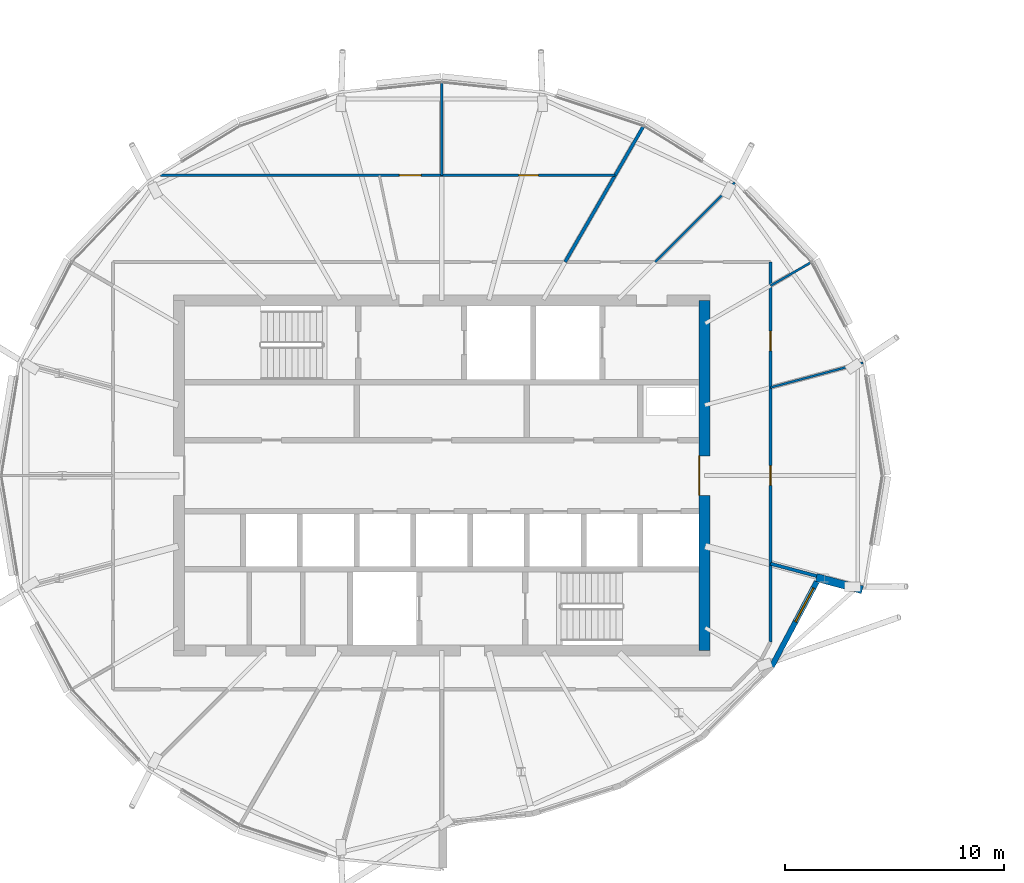
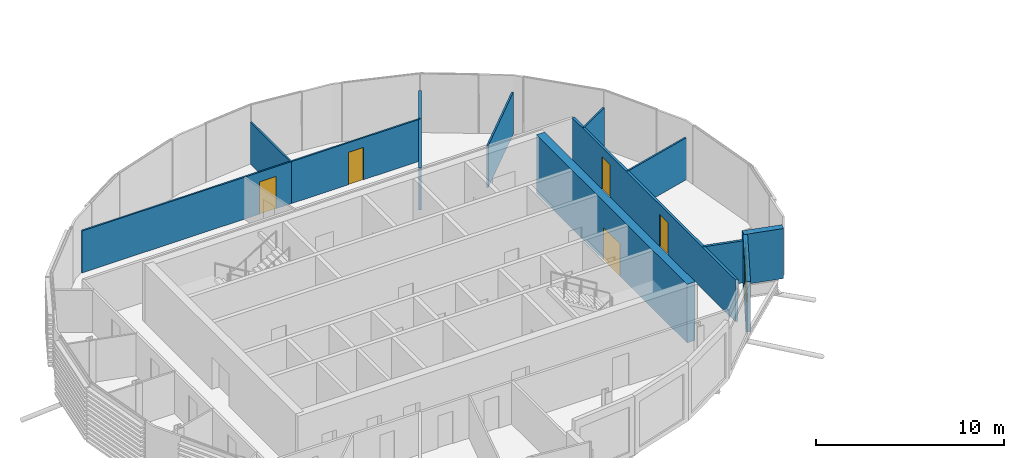
# One storey, part 20 of 36: 12 walls, 5 doors, 1 window, 6 openings.
"""IFC4 building model written with IfcOpenShell, lengths in metres."""

from ifc_helpers import new_model, si_unit, direction, frame, frame_2d, origin, place, context, subcontext, project, spatial, rectangle, extrude, material, layer, layer_set, type_object, element, fill, save


model = new_model("IFC4")

# Units and contexts
model_context = context("Model", 3, precision=1e-05, world=origin(), true_north=direction((0.0, 1.0)))
body_context = subcontext(model_context, "Body", "Model", "MODEL_VIEW")
ifc_project = project(units=[si_unit("LENGTHUNIT", "METRE"), si_unit("AREAUNIT", "SQUARE_METRE"), si_unit("VOLUMEUNIT", "CUBIC_METRE"), si_unit("PLANEANGLEUNIT", "RADIAN"), si_unit("MASSUNIT", "GRAM", prefix="KILO")], contexts=[model_context])

# Site, building, storey
site_placement = place(None, origin())
site = spatial("IfcSite", under=ifc_project, at=site_placement, CompositionType="ELEMENT")
building_placement = place(site_placement, origin())
building = spatial("IfcBuilding", under=site, at=building_placement, Name="Rimbun Link Towers", CompositionType="ELEMENT")
storey_placement = place(building_placement, frame((0.0, 0.0, 248.5)))
storey = spatial("IfcBuildingStorey", under=building, at=storey_placement, Name="L61", CompositionType="ELEMENT", Elevation=248.5)

# Wall, opening, window
ifc_material_1 = material(Name="Dark enamelled glass spandrel on insulated aluminium backpan", Category="aluminium")
ifc_layer_1 = layer(ifc_material_1, 0.25)
ifc_layer_set_1 = layer_set([ifc_layer_1], Name="CS dark enamelled spandrel wall 250")
wall_type_1 = type_object("IfcWallType", Name="CS dark enamelled spandrel wall 250", PredefinedType="STANDARD", material=ifc_layer_set_1)
wall_1_placement = place(storey_placement, frame((-14.6123046875, -4.850830078125, 0.0), z_axis=(0.0, 0.0, 1.0), x_axis=(-0.46890821679, -0.883246898792, 0.0)))
wall_1 = element("IfcWall", 1, at=wall_1_placement, inside=storey, type_object=wall_type_1, Name="Crease spandrel wall", PredefinedType="STANDARD", context=body_context, shape_type="SweptSolid", body=[
    extrude(rectangle(XDim=4.384521484375, YDim=0.25, at=frame_2d((2.1923828125, 0.0))), origin(), (0.0, 0.0, 1.0), 3.24365234375),
])
opening_1_placement = place(wall_1_placement, frame((0.319091796875, 0.0, 0.300048828125)))
opening_1 = element("IfcOpeningElement", 2, at=opening_1_placement, cuts=wall_1, Name="Opening WR18H270", PredefinedType="OPENING", context=body_context, shape_type="SweptSolid", body=[
    extrude(rectangle(XDim=1.75, YDim=2.699951171875, at=frame_2d((0.875, 1.35009765625))), frame((0.0, 0.135009765625, 0.0), z_axis=(0.0, -1.0, 0.0), x_axis=(1.0, 0.0, 0.0)), (0.0, 0.0, 1.0), 0.27001953125),
])
ifc_material_2 = material(Name="Aluminium framed fixed window, dark tinted low-e glass", Category="aluminium")
window_type = type_object("IfcWindowType", Name="WR ribbon window 1750X2700", PartitioningType="SINGLE_PANEL", PredefinedType="WINDOW", material=ifc_material_2)
window_placement = place(opening_1_placement, origin())
window = element("IfcWindow", 3, at=window_placement, inside=storey, type_object=window_type, Name="Crease ribbon window", OverallHeight=2.699951171875, OverallWidth=1.75, PartitioningType="SINGLE_PANEL", PredefinedType="WINDOW", context=body_context, shape_type="SweptSolid", body=[
    extrude(rectangle(XDim=1.75, YDim=2.699951171875, at=frame_2d((0.875, 1.35009765625))), frame((0.0, 0.030029296875, 0.0), z_axis=(0.0, -1.0, 0.0), x_axis=(1.0, 0.0, 0.0)), (0.0, 0.0, 1.0), 0.06005859375),
])
fill(opening_1, window)

# Wall
ifc_material_3 = material(Name="Dark enamelled glass spandrel on insulated aluminium backpan", Category="aluminium")
ifc_layer_2 = layer(ifc_material_3, 0.3701171875)
ifc_layer_set_2 = layer_set([ifc_layer_2], Name="CS dark enamelled spandrel wall 370")
wall_type_2 = type_object("IfcWallType", Name="CS dark enamelled spandrel wall 370", PredefinedType="STANDARD", material=ifc_layer_set_2)
wall_2_placement = place(storey_placement, frame((-12.527099609375, -5.218017578125, 0.0), z_axis=(0.0, 0.0, 1.0), x_axis=(-0.96592755611, 0.258812589237, 0.0)))
element("IfcWall", 4, at=wall_2_placement, inside=storey, type_object=wall_type_2, Name="Crease spandrel wall", PredefinedType="STANDARD", context=body_context, shape_type="SweptSolid", body=[
    extrude(rectangle(XDim=2.179931640625, YDim=0.3701171875, at=frame_2d((1.08984375, 0.0))), origin(), (0.0, 0.0, 1.0), 3.24365234375),
])

# Wall, opening, door
ifc_material_4 = material(Name="Concrete C60/75", Category="concrete")
ifc_layer_3 = layer(ifc_material_4, 0.5)
ifc_layer_set_3 = layer_set([ifc_layer_3], Name="Core shear wall 500")
wall_type_3 = type_object("IfcWallType", Name="Core shear wall 500", PredefinedType="SHEAR", material=ifc_layer_set_3)
wall_3_placement = place(storey_placement, frame((-19.75, -8.0, 0.0), z_axis=(0.0, 0.0, 1.0), x_axis=(0.0, 1.0, 0.0)))
wall_3 = element("IfcWall", 5, at=wall_3_placement, inside=storey, type_object=wall_type_3, Name="L61 T1 core wall E", PredefinedType="SHEAR", context=body_context, shape_type="SweptSolid", body=[
    extrude(rectangle(XDim=16.0, YDim=0.5, at=frame_2d((8.0, 0.0))), origin(), (0.0, 0.0, 1.0), 3.800048828125),
])
opening_2_placement = place(wall_3_placement, frame((7.10009765625, 0.0, 0.0)))
opening_2 = element("IfcOpeningElement", 6, at=opening_2_placement, cuts=wall_3, Name="Opening C1DCL01E", PredefinedType="OPENING", context=body_context, shape_type="SweptSolid", body=[
    extrude(rectangle(XDim=1.800048828125, YDim=2.10009765625, at=frame_2d((0.89990234375, 1.050048828125))), frame((0.0, 0.260009765625, 0.0), z_axis=(0.0, -1.0, 0.0), x_axis=(1.0, 0.0, 0.0)), (0.0, 0.0, 1.0), 0.52001953125),
])
ifc_material_5 = material(Name="Steel fire door set", Category="steel")
door_type_1 = type_object("IfcDoorType", Name="Core lobby door double", OperationType="DOUBLE_DOOR_SINGLE_SWING", PredefinedType="DOOR", material=ifc_material_5)
door_1_placement = place(opening_2_placement, origin())
door_1 = element("IfcDoor", 7, at=door_1_placement, inside=storey, type_object=door_type_1, Name="L61 T1 lift lobby door", OperationType="DOUBLE_DOOR_SINGLE_SWING", OverallHeight=2.10009765625, OverallWidth=1.800048828125, PredefinedType="DOOR", context=body_context, shape_type="SweptSolid", body=[
    extrude(rectangle(XDim=1.800048828125, YDim=2.10009765625, at=frame_2d((0.89990234375, 1.050048828125))), frame((0.0, 0.25, 0.0), z_axis=(0.0, -1.0, 0.0), x_axis=(1.0, 0.0, 0.0)), (0.0, 0.0, 1.0), 0.050048828125),
])
fill(opening_2, door_1)

# Wall, openings, doors
ifc_material_6 = material(Name="Plasterboard on steel stud, mineral wool", Category="steel")
ifc_layer_4 = layer(ifc_material_6, 0.14990234375)
ifc_layer_set_4 = layer_set([ifc_layer_4], Name="Corridor wall EI 30 150 mm")
wall_type_4 = type_object("IfcWallType", Name="Corridor wall EI 30 150 mm", PredefinedType="PARTITIONING", material=ifc_layer_set_4)
wall_4_placement = place(storey_placement, frame((-16.72509765625, 9.764892578125, 0.0), z_axis=(0.0, 0.0, 1.0), x_axis=(0.0, -1.0, 0.0)))
wall_4 = element("IfcWall", 8, at=wall_4_placement, inside=storey, type_object=wall_type_4, Name="Corridor wall EI 30 150 mm", PredefinedType="PARTITIONING", context=body_context, shape_type="SweptSolid", body=[
    extrude(rectangle(XDim=17.368896484375, YDim=0.14990234375, at=frame_2d((8.6845703125, 0.0))), origin(), (0.0, 0.0, 1.0), 2.721923828125),
])
opening_3_placement = place(wall_4_placement, frame((9.31494140625, 0.0, 0.0)))
opening_3 = element("IfcOpeningElement", 9, at=opening_3_placement, cuts=wall_4, Name="Opening D02", PredefinedType="OPENING", context=body_context, shape_type="SweptSolid", body=[
    extrude(rectangle(XDim=0.89990234375, YDim=2.10009765625, at=frame_2d((0.449951171875, 1.050048828125))), frame((0.0, 0.0849609375, 0.0), z_axis=(0.0, -1.0, 0.0), x_axis=(1.0, 0.0, 0.0)), (0.0, 0.0, 1.0), 0.169921875),
])
opening_4_placement = place(wall_4_placement, frame((3.162109375, 0.0, 0.0)))
opening_4 = element("IfcOpeningElement", 10, at=opening_4_placement, cuts=wall_4, Name="Opening D02", PredefinedType="OPENING", context=body_context, shape_type="SweptSolid", body=[
    extrude(rectangle(XDim=0.89990234375, YDim=2.10009765625, at=frame_2d((0.449951171875, 1.050048828125))), frame((0.0, 0.0849609375, 0.0), z_axis=(0.0, -1.0, 0.0), x_axis=(1.0, 0.0, 0.0)), (0.0, 0.0, 1.0), 0.169921875),
])
ifc_material_7 = material(Name="Fire-resisting timber door leaf", Category="wood")
door_type_2 = type_object("IfcDoorType", Name="Fire door FD30S 900", OperationType="NOTDEFINED", PredefinedType="DOOR", material=ifc_material_7)
door_2_placement = place(opening_3_placement, origin())
door_2 = element("IfcDoor", 11, at=door_2_placement, inside=storey, type_object=door_type_2, Name="Fire door FD30S 900 to Boardroom", OperationType="SINGLE_SWING_LEFT", OverallHeight=2.10009765625, OverallWidth=0.89990234375, PredefinedType="DOOR", context=body_context, shape_type="SweptSolid", body=[
    extrude(rectangle(XDim=0.89990234375, YDim=2.10009765625, at=frame_2d((0.449951171875, 1.050048828125))), frame((0.0, 0.02490234375, 0.0), z_axis=(0.0, -1.0, 0.0), x_axis=(1.0, 0.0, 0.0)), (0.0, 0.0, 1.0), 0.050048828125),
])
fill(opening_3, door_2)
door_3_placement = place(opening_4_placement, origin())
door_3 = element("IfcDoor", 12, at=door_3_placement, inside=storey, type_object=door_type_2, Name="Fire door FD30S 900 to Meeting room", OperationType="SINGLE_SWING_RIGHT", OverallHeight=2.10009765625, OverallWidth=0.89990234375, PredefinedType="DOOR", context=body_context, shape_type="SweptSolid", body=[
    extrude(rectangle(XDim=0.89990234375, YDim=2.10009765625, at=frame_2d((0.449951171875, 1.050048828125))), frame((0.0, 0.02490234375, 0.0), z_axis=(0.0, -1.0, 0.0), x_axis=(1.0, 0.0, 0.0)), (0.0, 0.0, 1.0), 0.050048828125),
])
fill(opening_4, door_3)

# Walls
ifc_material_8 = material(Name="Plasterboard on steel stud", Category="steel")
ifc_layer_5 = layer(ifc_material_8, 0.10009765625)
ifc_layer_set_5 = layer_set([ifc_layer_5], Name="Plasterboard partition 100 mm")
wall_type_5 = type_object("IfcWallType", Name="Plasterboard partition 100 mm", PredefinedType="PARTITIONING", material=ifc_layer_set_5)
wall_5_placement = place(storey_placement, frame((-12.490966796875, 5.160400390625, 0.0), z_axis=(0.0, 0.0, 1.0), x_axis=(-0.965926422845, -0.258816818714, 0.0)))
element("IfcWall", 13, at=wall_5_placement, inside=storey, type_object=wall_type_5, Name="Plasterboard partition 100 mm", PredefinedType="PARTITIONING", context=body_context, shape_type="SweptSolid", body=[
    extrude(rectangle(XDim=4.383544921875, YDim=0.10009765625, at=frame_2d((2.19189453125, 0.0))), origin(), (0.0, 0.0, 1.0), 2.721923828125),
])
wall_6_placement = place(storey_placement, frame((-14.864990234375, 9.74853515625, 0.0), z_axis=(0.0, 0.0, 1.0), x_axis=(-0.866066338354, -0.499929092542, 0.0)))
element("IfcWall", 14, at=wall_6_placement, inside=storey, type_object=wall_type_5, Name="Plasterboard partition 100 mm", PredefinedType="PARTITIONING", context=body_context, shape_type="SweptSolid", body=[
    extrude(rectangle(XDim=2.147705078125, YDim=0.10009765625, at=frame_2d((1.07373046875, 0.0))), origin(), (0.0, 0.0, 1.0), 2.721923828125),
])
wall_7_placement = place(storey_placement, frame((-18.35791015625, 13.39208984375, 0.0), z_axis=(0.0, 0.0, 1.0), x_axis=(-0.707106781187, -0.707106781187, 0.0)))
element("IfcWall", 15, at=wall_7_placement, inside=storey, type_object=wall_type_5, Name="Plasterboard partition 100 mm", PredefinedType="PARTITIONING", context=body_context, shape_type="SweptSolid", body=[
    extrude(rectangle(XDim=5.129638671875, YDim=0.10009765625, at=frame_2d((2.56494140625, 0.0))), origin(), (0.0, 0.0, 1.0), 2.721923828125),
])

# Wall, opening, door
wall_8_placement = place(storey_placement, frame((-31.75, 13.72509765625, 0.0), z_axis=(0.0, 0.0, 1.0), x_axis=(1.0, 0.0, 0.0)))
wall_8 = element("IfcWall", 16, at=wall_8_placement, inside=storey, type_object=wall_type_5, Name="Plasterboard partition 100 mm", PredefinedType="PARTITIONING", context=body_context, shape_type="SweptSolid", body=[
    extrude(rectangle(XDim=7.92431640625, YDim=0.10009765625, at=frame_2d((3.962158203125, 0.0))), origin(), (0.0, 0.0, 1.0), 2.721923828125),
])
opening_5_placement = place(wall_8_placement, frame((3.51220703125, 0.0, 0.0)))
opening_5 = element("IfcOpeningElement", 17, at=opening_5_placement, cuts=wall_8, Name="Opening D04", PredefinedType="OPENING", context=body_context, shape_type="SweptSolid", body=[
    extrude(rectangle(XDim=0.89990234375, YDim=2.10009765625, at=frame_2d((0.449951171875, 1.050048828125))), frame((0.0, 0.06005859375, 0.0), z_axis=(0.0, -1.0, 0.0), x_axis=(1.0, 0.0, 0.0)), (0.0, 0.0, 1.0), 0.1201171875),
])
ifc_material_9 = material(Name="Timber door leaf", Category="wood")
door_type_3 = type_object("IfcDoorType", Name="Flush door 900", OperationType="NOTDEFINED", PredefinedType="DOOR", material=ifc_material_9)
door_4_placement = place(opening_5_placement, origin())
door_4 = element("IfcDoor", 18, at=door_4_placement, inside=storey, type_object=door_type_3, Name="Flush door 900 to Executive office", OperationType="SINGLE_SWING_RIGHT", OverallHeight=2.10009765625, OverallWidth=0.89990234375, PredefinedType="DOOR", context=body_context, shape_type="SweptSolid", body=[
    extrude(rectangle(XDim=0.89990234375, YDim=2.10009765625, at=frame_2d((0.449951171875, 1.050048828125))), frame((0.0, 0.02490234375, 0.0), z_axis=(0.0, -1.0, 0.0), x_axis=(1.0, 0.0, 0.0)), (0.0, 0.0, 1.0), 0.050048828125),
])
fill(opening_5, door_4)

wall_9_placement = place(storey_placement, frame((-44.599853515625, 13.72509765625, 0.0), z_axis=(0.0, 0.0, 1.0), x_axis=(1.0, 0.0, 0.0)))
wall_9 = element("IfcWall", 19, at=wall_9_placement, inside=storey, type_object=wall_type_5, Name="Plasterboard partition 100 mm", PredefinedType="PARTITIONING", context=body_context, shape_type="SweptSolid", body=[
    extrude(rectangle(XDim=12.849853515625, YDim=0.10009765625, at=frame_2d((6.4248046875, 0.0))), origin(), (0.0, 0.0, 1.0), 2.721923828125),
])
opening_6_placement = place(wall_9_placement, frame((10.9091796875, 0.0, 0.0)))
opening_6 = element("IfcOpeningElement", 20, at=opening_6_placement, cuts=wall_9, Name="Opening D03", PredefinedType="OPENING", context=body_context, shape_type="SweptSolid", body=[
    extrude(rectangle(XDim=1.0, YDim=2.10009765625, at=frame_2d((0.5, 1.050048828125))), frame((0.0, 0.06005859375, 0.0), z_axis=(0.0, -1.0, 0.0), x_axis=(1.0, 0.0, 0.0)), (0.0, 0.0, 1.0), 0.1201171875),
])
ifc_material_10 = material(Name="Timber door leaf", Category="wood")
door_type_4 = type_object("IfcDoorType", Name="Flush door 1000", OperationType="NOTDEFINED", PredefinedType="DOOR", material=ifc_material_10)
door_5_placement = place(opening_6_placement, origin())
door_5 = element("IfcDoor", 21, at=door_5_placement, inside=storey, type_object=door_type_4, Name="Flush door 1000 to Open office", OperationType="SINGLE_SWING_LEFT", OverallHeight=2.10009765625, OverallWidth=1.0, PredefinedType="DOOR", context=body_context, shape_type="SweptSolid", body=[
    extrude(rectangle(XDim=1.0, YDim=2.10009765625, at=frame_2d((0.5, 1.050048828125))), frame((0.0, 0.02490234375, 0.0), z_axis=(0.0, -1.0, 0.0), x_axis=(1.0, 0.0, 0.0)), (0.0, 0.0, 1.0), 0.050048828125),
])
fill(opening_6, door_5)

# Walls
wall_10_placement = place(storey_placement, frame((-31.75, 17.953369140625, 0.0), z_axis=(0.0, 0.0, 1.0), x_axis=(0.0, -1.0, 0.0)))
element("IfcWall", 22, at=wall_10_placement, inside=storey, type_object=wall_type_5, Name="Plasterboard partition 100 mm", PredefinedType="PARTITIONING", context=body_context, shape_type="SweptSolid", body=[
    extrude(rectangle(XDim=4.228271484375, YDim=0.10009765625, at=frame_2d((2.1142578125, 0.0))), origin(), (0.0, 0.0, 1.0), 2.721923828125),
])
ifc_material_11 = material(Name="Plasterboard on steel stud, mineral wool", Category="steel")
ifc_layer_6 = layer(ifc_material_11, 0.14990234375)
ifc_layer_set_6 = layer_set([ifc_layer_6], Name="Tenancy separation wall EI 60 150 mm")
wall_type_6 = type_object("IfcWallType", Name="Tenancy separation wall EI 60 150 mm", PredefinedType="PARTITIONING", material=ifc_layer_set_6)
wall_11_placement = place(storey_placement, frame((-26.112060546875, 9.764892578125, 0.0), z_axis=(0.0, 0.0, 1.0), x_axis=(0.499998286239, 0.866026393222, 0.0)))
element("IfcWall", 23, at=wall_11_placement, inside=storey, type_object=wall_type_6, Name="Tenancy separation wall EI 60 150 mm", PredefinedType="PARTITIONING", context=body_context, shape_type="SweptSolid", body=[
    extrude(rectangle(XDim=7.15087890625, YDim=0.14990234375, at=frame_2d((3.575439453125, 0.0))), origin(), (0.0, 0.0, 1.0), 2.721923828125),
])
wall_12_placement = place(storey_placement, frame((-16.72509765625, -4.02587890625, 0.0), z_axis=(0.0, 0.0, 1.0), x_axis=(0.965920601059, -0.258838545139, 0.0)))
element("IfcWall", 24, at=wall_12_placement, inside=storey, type_object=wall_type_6, Name="Tenancy separation wall EI 60 150 mm", PredefinedType="PARTITIONING", context=body_context, shape_type="SweptSolid", body=[
    extrude(rectangle(XDim=2.18359375, YDim=0.14990234375, at=frame_2d((1.091796875, 0.0))), origin(), (0.0, 0.0, 1.0), 2.721923828125),
])

save(model, "model.ifc")
